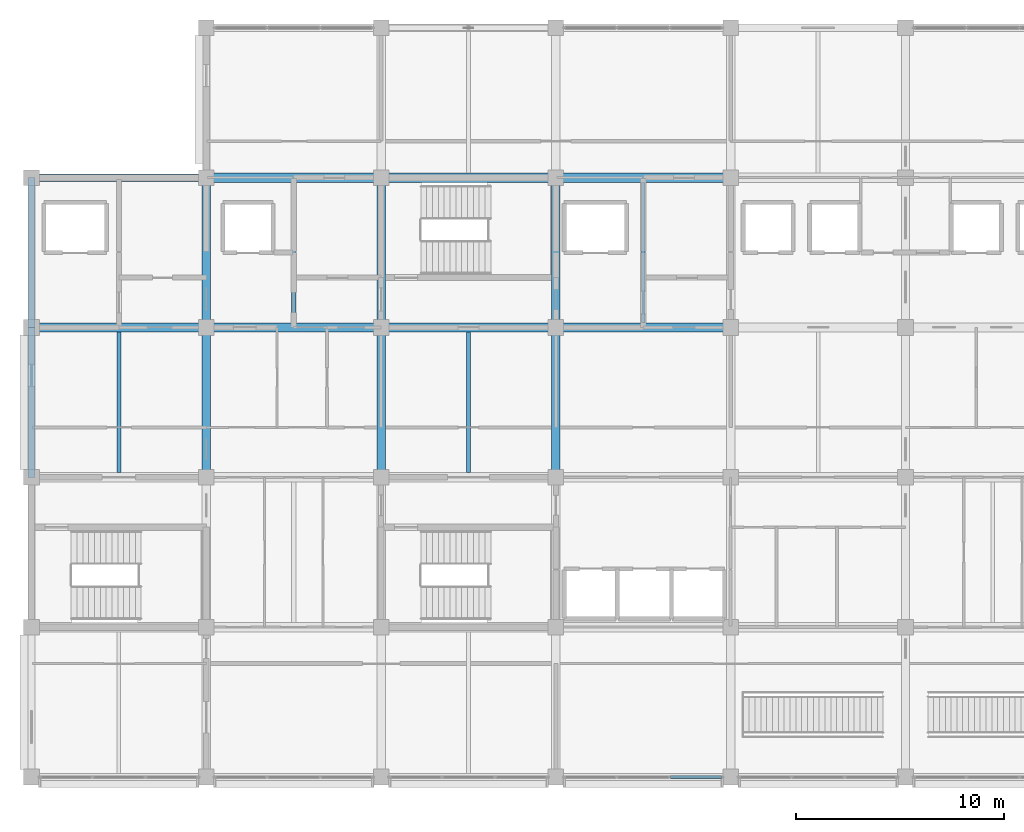
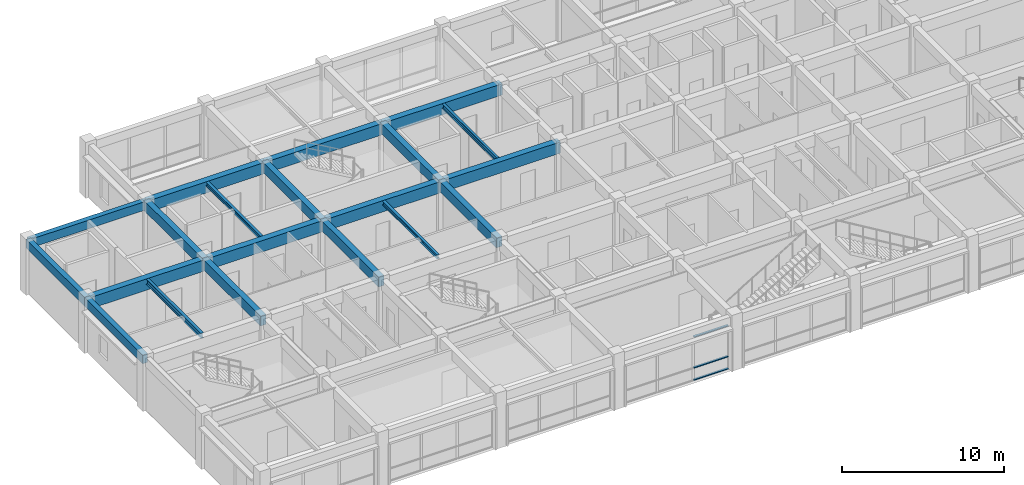
# One storey, part 4 of 27: 20 beams, 3 members, 1 element without a shape of its own.
"""IFC4 building model written with IfcOpenShell, lengths in metres."""

from ifc_helpers import new_model, si_unit, direction, frame, origin, origin_2d, place, context, subcontext, project, spatial, rectangle, i_section, extrude, material, layer, layer_set, material_profile, profile_set, type_object, element, aggregate, save


model = new_model("IFC4")

# Units and contexts
model_context = context("Model", 3, precision=1e-05, world=origin(), true_north=direction((0.0, 1.0)))
body_context = subcontext(model_context, "Body", "Model", "MODEL_VIEW")
ifc_project = project(units=[si_unit("LENGTHUNIT", "METRE"), si_unit("AREAUNIT", "SQUARE_METRE"), si_unit("VOLUMEUNIT", "CUBIC_METRE"), si_unit("PLANEANGLEUNIT", "RADIAN"), si_unit("MASSUNIT", "GRAM", prefix="KILO")], contexts=[model_context])

# Site, building, storey
site_placement = place(None, origin())
site = spatial("IfcSite", under=ifc_project, at=site_placement, CompositionType="ELEMENT")
building_placement = place(site_placement, origin())
building = spatial("IfcBuilding", under=site, at=building_placement, Name="Chengyuan Square Courthouse", CompositionType="ELEMENT")
storey_placement = place(building_placement, frame((0.0, 0.0, 39.300048828125)))
storey = spatial("IfcBuildingStorey", under=building, at=storey_placement, Name="L09", CompositionType="ELEMENT", Elevation=39.300048828125)

# Beams
ifc_material_1 = material(Name="Concrete C40", Category="concrete")
ifc_material_profile_1 = material_profile(ifc_material_1, rectangle(XDim=0.449951171875, YDim=0.85009765625, at=origin_2d()), Name="RC-BM-450x850")
ifc_profile_set_1 = profile_set([ifc_material_profile_1], Name="Concrete C40")
beam_type_1 = type_object("IfcBeamType", Name="BM-01", PredefinedType="USERDEFINED", material=ifc_profile_set_1)
beam_1_placement = place(storey_placement, frame((42.0, 100.800048828125, 3.52490234375), z_axis=(1.0, 0.0, 0.0), x_axis=(0.0, 1.0, 0.0)))
element("IfcBeam", 1, at=beam_1_placement, inside=storey, type_object=beam_type_1, Name="Girder BM-L09-3927", ObjectType="GIRDER", PredefinedType="USERDEFINED", context=body_context, shape_type="SweptSolid", body=[
    extrude(rectangle(XDim=0.449951171875, YDim=0.85009765625, at=origin_2d()), origin(), (0.0, 0.0, 1.0), 8.39990234375),
])
beam_2_placement = place(storey_placement, frame((50.39990234375, 100.800048828125, 3.52490234375), z_axis=(1.0, 0.0, 0.0), x_axis=(0.0, 1.0, 0.0)))
element("IfcBeam", 2, at=beam_2_placement, inside=storey, type_object=beam_type_1, Name="Girder BM-L09-3928", ObjectType="GIRDER", PredefinedType="USERDEFINED", context=body_context, shape_type="SweptSolid", body=[
    extrude(rectangle(XDim=0.449951171875, YDim=0.85009765625, at=origin_2d()), origin(), (0.0, 0.0, 1.0), 8.400146484375),
])
beam_3_placement = place(storey_placement, frame((58.800048828125, 100.800048828125, 3.52490234375), z_axis=(1.0, 0.0, 0.0), x_axis=(0.0, 1.0, 0.0)))
element("IfcBeam", 3, at=beam_3_placement, inside=storey, type_object=beam_type_1, Name="Girder BM-L09-3929", ObjectType="GIRDER", PredefinedType="USERDEFINED", context=body_context, shape_type="SweptSolid", body=[
    extrude(rectangle(XDim=0.449951171875, YDim=0.85009765625, at=origin_2d()), origin(), (0.0, 0.0, 1.0), 8.39990234375),
])
for number, where, z_axis, x_axis, name in (
    (4, (67.199951171875, 100.800048828125, 3.52490234375), (1.0, 0.0, 0.0), (0.0, 1.0, 0.0), "Girder BM-L09-3930"),
    (5, (50.39990234375, 108.0, 3.52490234375), (1.0, 0.0, 0.0), (0.0, 1.0, 0.0), "Girder BM-L09-3938"),
):
    element("IfcBeam", number, at=place(storey_placement, frame(where, z_axis=z_axis, x_axis=x_axis)), inside=storey, type_object=beam_type_1, Name=name, ObjectType="GIRDER", PredefinedType="USERDEFINED", context=body_context, shape_type="SweptSolid", body=[
        extrude(rectangle(XDim=0.449951171875, YDim=0.85009765625, at=origin_2d()), origin(), (0.0, 0.0, 1.0), 8.400146484375),
    ])
beam_4_placement = place(storey_placement, frame((58.800048828125, 108.0, 3.52490234375), z_axis=(1.0, 0.0, 0.0), x_axis=(0.0, 1.0, 0.0)))
element("IfcBeam", 6, at=beam_4_placement, inside=storey, type_object=beam_type_1, Name="Girder BM-L09-3939", ObjectType="GIRDER", PredefinedType="USERDEFINED", context=body_context, shape_type="SweptSolid", body=[
    extrude(rectangle(XDim=0.449951171875, YDim=0.85009765625, at=origin_2d()), origin(), (0.0, 0.0, 1.0), 8.39990234375),
])
beam_5_placement = place(storey_placement, frame((67.199951171875, 108.0, 3.52490234375), z_axis=(1.0, 0.0, 0.0), x_axis=(0.0, 1.0, 0.0)))
element("IfcBeam", 7, at=beam_5_placement, inside=storey, type_object=beam_type_1, Name="Girder BM-L09-3940", ObjectType="GIRDER", PredefinedType="USERDEFINED", context=body_context, shape_type="SweptSolid", body=[
    extrude(rectangle(XDim=0.449951171875, YDim=0.85009765625, at=origin_2d()), origin(), (0.0, 0.0, 1.0), 8.400146484375),
])
ifc_material_profile_2 = material_profile(ifc_material_1, rectangle(XDim=0.39990234375, YDim=0.75, at=origin_2d()), Name="RC-BM-400x750")
ifc_profile_set_2 = profile_set([ifc_material_profile_2], Name="Concrete C40")
beam_type_2 = type_object("IfcBeamType", Name="BM-02", PredefinedType="USERDEFINED", material=ifc_profile_set_2)
for number, where, z_axis, x_axis, name in (
    (8, (50.39990234375, 93.60009765625, 3.574951171875), (0.0, 1.0, 0.0), (-1.0, 0.0, 0.0), "Girder BM-L09-3961"),
    (9, (50.39990234375, 100.800048828125, 3.574951171875), (0.0, 1.0, 0.0), (-1.0, 0.0, 0.0), "Girder BM-L09-3962"),
    (10, (58.800048828125, 93.60009765625, 3.574951171875), (0.0, 1.0, 0.0), (-1.0, 0.0, 0.0), "Girder BM-L09-3966"),
    (11, (58.800048828125, 100.800048828125, 3.574951171875), (0.0, 1.0, 0.0), (-1.0, 0.0, 0.0), "Girder BM-L09-3967"),
    (12, (67.199951171875, 93.60009765625, 3.574951171875), (0.0, 1.0, 0.0), (-1.0, 0.0, 0.0), "Girder BM-L09-3971"),
    (13, (67.199951171875, 100.800048828125, 3.574951171875), (0.0, 1.0, 0.0), (-1.0, 0.0, 0.0), "Girder BM-L09-3972"),
):
    element("IfcBeam", number, at=place(storey_placement, frame(where, z_axis=z_axis, x_axis=x_axis)), inside=storey, type_object=beam_type_2, Name=name, ObjectType="GIRDER", PredefinedType="USERDEFINED", context=body_context, shape_type="SweptSolid", body=[
        extrude(rectangle(XDim=0.39990234375, YDim=0.75, at=origin_2d()), origin(), (0.0, 0.0, 1.0), 7.199951171875),
    ])
ifc_material_profile_3 = material_profile(ifc_material_1, rectangle(XDim=0.35009765625, YDim=0.64990234375, at=origin_2d()), Name="RC-BM-350x650")
ifc_profile_set_3 = profile_set([ifc_material_profile_3], Name="Concrete C40")
beam_type_3 = type_object("IfcBeamType", Name="BM-03", PredefinedType="SPANDREL", material=ifc_profile_set_3)
beam_6_placement = place(storey_placement, frame((42.0, 108.0, 3.625), z_axis=(1.0, 0.0, 0.0), x_axis=(0.0, 1.0, 0.0)))
element("IfcBeam", 14, at=beam_6_placement, inside=storey, type_object=beam_type_3, Name="Girder BM-L09-3937", PredefinedType="SPANDREL", context=body_context, shape_type="SweptSolid", body=[
    extrude(rectangle(XDim=0.35009765625, YDim=0.64990234375, at=origin_2d()), origin(), (0.0, 0.0, 1.0), 8.39990234375),
])
for number, where, z_axis, x_axis, name in (
    (15, (42.0, 93.60009765625, 3.625), (0.0, 1.0, 0.0), (-1.0, 0.0, 0.0), "Girder BM-L09-3957"),
    (16, (42.0, 100.800048828125, 3.625), (0.0, 1.0, 0.0), (-1.0, 0.0, 0.0), "Girder BM-L09-3958"),
):
    element("IfcBeam", number, at=place(storey_placement, frame(where, z_axis=z_axis, x_axis=x_axis)), inside=storey, type_object=beam_type_3, Name=name, PredefinedType="SPANDREL", context=body_context, shape_type="SweptSolid", body=[
        extrude(rectangle(XDim=0.35009765625, YDim=0.64990234375, at=origin_2d()), origin(), (0.0, 0.0, 1.0), 7.199951171875),
    ])
ifc_material_2 = material(Name="Steel Q355B", Category="steel")
ifc_material_profile_4 = material_profile(ifc_material_2, i_section(OverallWidth=0.199951171875, OverallDepth=0.39990234375, WebThickness=0.008056640625, FlangeThickness=0.012939453125, at=origin_2d()), Name="HN 400x200x8x13")
ifc_profile_set_4 = profile_set([ifc_material_profile_4], Name="Steel Q355B")
beam_type_4 = type_object("IfcBeamType", Name="BM-07", PredefinedType="BEAM", material=ifc_profile_set_4)
beam_7_placement = place(storey_placement, frame((46.199951171875, 93.824951171875, 3.75), z_axis=(0.0, 1.0, 0.0), x_axis=(-1.0, 0.0, 0.0)))
element("IfcBeam", 17, at=beam_7_placement, inside=storey, type_object=beam_type_4, Name="Secondary Floor Beam SBM-L09-4009", PredefinedType="BEAM", context=body_context, shape_type="SweptSolid", body=[
    extrude(i_section(OverallWidth=0.199951171875, OverallDepth=0.39990234375, WebThickness=0.008056640625, FlangeThickness=0.012939453125, at=origin_2d()), origin(), (0.0, 0.0, 1.0), 6.75),
])
ifc_material_profile_5 = material_profile(ifc_material_2, i_section(OverallWidth=0.175048828125, OverallDepth=0.35009765625, WebThickness=0.007080078125, FlangeThickness=0.010986328125, at=origin_2d()), Name="HN 350x175x7x11")
ifc_profile_set_5 = profile_set([ifc_material_profile_5], Name="Steel Q355B")
beam_type_5 = type_object("IfcBeamType", Name="BM-08", PredefinedType="BEAM", material=ifc_profile_set_5)
beam_8_placement = place(storey_placement, frame((71.39990234375, 101.02490234375, 3.77490234375), z_axis=(0.0, 1.0, 0.0), x_axis=(-1.0, 0.0, 0.0)))
element("IfcBeam", 18, at=beam_8_placement, inside=storey, type_object=beam_type_5, Name="Secondary Floor Beam SBM-L09-4015", PredefinedType="BEAM", context=body_context, shape_type="SweptSolid", body=[
    extrude(i_section(OverallWidth=0.175048828125, OverallDepth=0.35009765625, WebThickness=0.007080078125, FlangeThickness=0.010986328125, at=origin_2d()), origin(), (0.0, 0.0, 1.0), 6.75),
])
ifc_material_profile_6 = material_profile(ifc_material_2, i_section(OverallWidth=0.199951171875, OverallDepth=0.300048828125, WebThickness=0.008056640625, FlangeThickness=0.011962890625, at=origin_2d()), Name="HM 300x200x8x12")
ifc_profile_set_6 = profile_set([ifc_material_profile_6], Name="Steel Q355B")
beam_type_6 = type_object("IfcBeamType", Name="BM-09", PredefinedType="BEAM", material=ifc_profile_set_6)
for number, where, z_axis, x_axis, name in (
    (19, (54.60009765625, 101.02490234375, 3.800048828125), (0.0, 1.0, 0.0), (-1.0, 0.0, 0.0), "Secondary Floor Beam SBM-L09-4011"),
    (20, (63.0, 93.824951171875, 3.800048828125), (0.0, 1.0, 0.0), (-1.0, 0.0, 0.0), "Secondary Floor Beam SBM-L09-4013"),
):
    element("IfcBeam", number, at=place(storey_placement, frame(where, z_axis=z_axis, x_axis=x_axis)), inside=storey, type_object=beam_type_6, Name=name, PredefinedType="BEAM", context=body_context, shape_type="SweptSolid", body=[
        extrude(i_section(OverallWidth=0.199951171875, OverallDepth=0.300048828125, WebThickness=0.008056640625, FlangeThickness=0.011962890625, at=origin_2d()), origin(), (0.0, 0.0, 1.0), 6.75),
    ])

# Curtain wall, members
ifc_material_3 = material(Name="Unitised Aluminium and Triple Low-E Glass", Category="aluminium")
ifc_layer = layer(ifc_material_3, 0.159912109375)
ifc_layer_set = layer_set([ifc_layer], Name="Unitised Aluminium and Triple Low-E Glass")
curtain_wall_type = type_object("IfcCurtainWallType", Name="CW-01", PredefinedType="USERDEFINED", material=ifc_layer_set)
curtain_wall_placement = place(storey_placement, origin())
curtain_wall = element("IfcCurtainWall", 21, at=curtain_wall_placement, inside=storey, type_object=curtain_wall_type, Name="Unitised Curtain Wall CW-L09-238", ObjectType="UNITISED CURTAIN WALL", PredefinedType="USERDEFINED")
ifc_material_4 = material(Name="Aluminium 6063-T6 Frame", Category="aluminium")
ifc_material_profile_7 = material_profile(ifc_material_4, rectangle(XDim=0.159912109375, YDim=0.06005859375, at=origin_2d()), Name="CW-TRN-60x120")
ifc_profile_set_7 = profile_set([ifc_material_profile_7], Name="Aluminium 6063-T6 Frame")
member_type = type_object("IfcMemberType", Name="CWT-01", PredefinedType="USERDEFINED", material=ifc_profile_set_7)
member_1_placement = place(storey_placement, frame((72.705078125, 79.199951171875, 0.030029296875), z_axis=(1.0, 0.0, 0.0), x_axis=(0.0, 1.0, 0.0)))
member_1 = element("IfcMember", 22, at=member_1_placement, type_object=member_type, Name="CW-01 transom 3.1", ObjectType="TRANSOM", PredefinedType="USERDEFINED", context=body_context, shape_type="SweptSolid", body=[
    extrude(rectangle(XDim=0.159912109375, YDim=0.06005859375, at=origin_2d()), origin(), (0.0, 0.0, 1.0), 2.4599609375),
])
member_2_placement = place(storey_placement, frame((72.705078125, 79.199951171875, 0.949951171875), z_axis=(1.0, 0.0, 0.0), x_axis=(0.0, 1.0, 0.0)))
member_2 = element("IfcMember", 23, at=member_2_placement, type_object=member_type, Name="CW-01 transom 3.2", ObjectType="TRANSOM", PredefinedType="USERDEFINED", context=body_context, shape_type="SweptSolid", body=[
    extrude(rectangle(XDim=0.159912109375, YDim=0.06005859375, at=origin_2d()), origin(), (0.0, 0.0, 1.0), 2.4599609375),
])
member_3_placement = place(storey_placement, frame((72.705078125, 79.199951171875, 3.27001953125), z_axis=(1.0, 0.0, 0.0), x_axis=(0.0, 1.0, 0.0)))
member_3 = element("IfcMember", 24, at=member_3_placement, type_object=member_type, Name="CW-01 transom 3.3", ObjectType="TRANSOM", PredefinedType="USERDEFINED", context=body_context, shape_type="SweptSolid", body=[
    extrude(rectangle(XDim=0.159912109375, YDim=0.06005859375, at=origin_2d()), origin(), (0.0, 0.0, 1.0), 2.4599609375),
])
aggregate(curtain_wall, [member_1, member_2, member_3])

save(model, "model.ifc")
